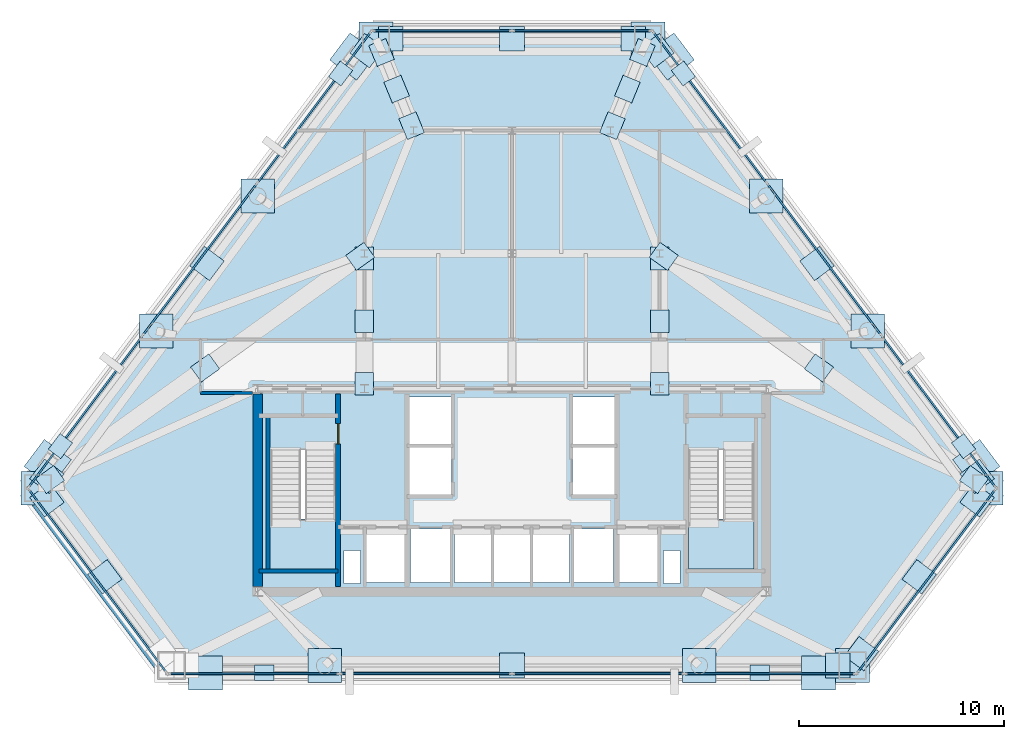
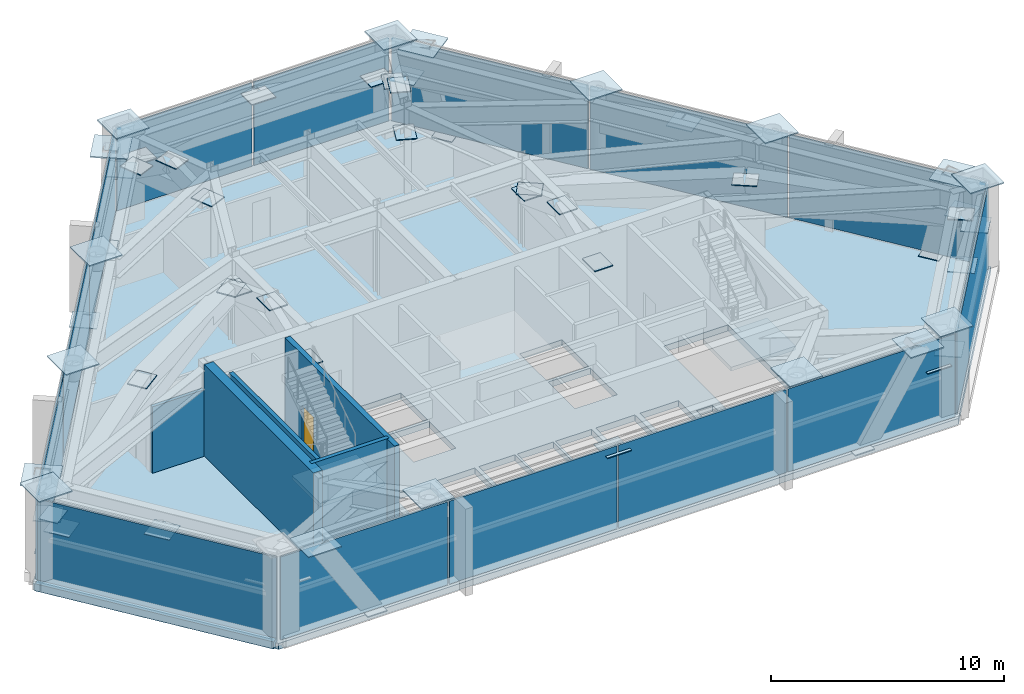
# One storey, part 5 of 9: 71 plates, 6 walls, 3 slabs, 1 door, 1 opening, 8 elements without a shape of their own.
"""IFC4 building model written with IfcOpenShell, lengths in metres."""

from ifc_helpers import new_model, si_unit, direction, frame, frame_2d, origin, origin_2d, place, context, subcontext, project, spatial, polyline, rectangle, outline, extrude, source, transform, mapped, material, layer, layer_set, type_object, type_shapes, element, fill, aggregate, save


model = new_model("IFC4")

# Units and contexts
model_context = context("Model", 3, precision=1e-05, world=origin(), true_north=direction((0.0, 1.0)))
body_context = subcontext(model_context, "Body", "Model", "MODEL_VIEW")
ifc_project = project(units=[si_unit("LENGTHUNIT", "METRE"), si_unit("AREAUNIT", "SQUARE_METRE"), si_unit("VOLUMEUNIT", "CUBIC_METRE"), si_unit("PLANEANGLEUNIT", "RADIAN"), si_unit("MASSUNIT", "GRAM", prefix="KILO")], contexts=[model_context])

# Site, building, storey
site_placement = place(None, origin())
site = spatial("IfcSite", under=ifc_project, at=site_placement, CompositionType="ELEMENT")
building_placement = place(site_placement, origin())
building = spatial("IfcBuilding", under=site, at=building_placement, Name="Talgorran Terracotta Tower", CompositionType="ELEMENT")
storey_placement = place(building_placement, frame((0.0, 0.0, 90.0)))
storey = spatial("IfcBuildingStorey", under=building, at=storey_placement, Name="L23", CompositionType="ELEMENT", Elevation=90.0)

# Plates
ifc_material_1 = material(Name="Steel Grade 350 (350L0)", Category="steel")
ifc_layer_1 = layer(ifc_material_1, 0.0400390625, Name="PL_CAP_MN05")
ifc_layer_set_1 = layer_set([ifc_layer_1], Name="Steel Grade 350 (350L0)")
plate_type_1 = type_object("IfcPlateType", Name="PL_CAP_MN05", PredefinedType="USERDEFINED", material=ifc_layer_set_1)
for number, where, z_axis, x_axis, name in (
    (1, (-12.09130859375, -18.062255859375, -0.010009765625), (0.0, 0.0, 1.0), (-1.0, 0.0, 0.0), "L23 Diagonal Frame End Cap SWF Bot"),
    (2, (12.09130859375, -18.062255859375, -0.010009765625), (0.0, 0.0, 1.0), (1.0, 0.0, 0.0), "L23 Diagonal Frame End Cap SEF Bot"),
    (3, (22.028564453125, -7.002197265625, -0.010009765625), (0.0, 0.0, 1.0), (0.600978364173, -0.79926529125, 0.0), "L23 Diagonal Frame End Cap NEL Bot"),
    (4, (8.35791015625, 11.175537109375, -0.010009765625), (0.0, 0.0, 1.0), (-0.600978364173, 0.79926529125, 0.0), "L23 Diagonal Frame End Cap NEU Bot"),
    (5, (-8.35791015625, 11.175537109375, -0.010009765625), (0.0, 0.0, 1.0), (0.600978364173, 0.79926529125, 0.0), "L23 Diagonal Frame End Cap NWU Bot"),
    (6, (-22.028564453125, -7.002197265625, -0.010009765625), (0.0, 0.0, 1.0), (-0.600978364173, -0.79926529125, 0.0), "L23 Diagonal Frame End Cap NWL Bot"),
):
    element("IfcPlate", number, at=place(storey_placement, frame(where, z_axis=z_axis, x_axis=x_axis)), inside=storey, type_object=plate_type_1, Name=name, ObjectType="CAP PLATE", PredefinedType="USERDEFINED", context=body_context, shape_type="SweptSolid", body=[
        extrude(rectangle(XDim=0.9599609375, YDim=0.760009765625, at=origin_2d()), origin(), (0.0, 0.0, 1.0), 0.0400390625),
    ])
ifc_layer_2 = layer(ifc_material_1, 0.044921875, Name="PL_GUS_MN08")
ifc_layer_set_2 = layer_set([ifc_layer_2], Name="Steel Grade 350 (350L0)")
plate_type_2 = type_object("IfcPlateType", Name="PL_GUS_MN08", PredefinedType="SHEET", material=ifc_layer_set_2)
for number, where, z_axis, x_axis, name in (
    (7, (-7.199951171875, -3.949951171875, 2.8974609375), (0.0, 0.0, 1.0), (0.0, 1.0, 0.0), "L23 Outrigger Gusset OR1-A"),
    (8, (-7.199951171875, -0.89990234375, 4.03759765625), (0.0, 0.0, 1.0), (0.0, 1.0, 0.0), "L23 Outrigger Gusset OR1-M"),
    (9, (-7.199951171875, 2.14990234375, 2.8974609375), (0.0, 0.0, 1.0), (0.0, 1.0, 0.0), "L23 Outrigger Gusset OR1-B"),
    (10, (7.199951171875, -3.949951171875, 2.8974609375), (0.0, 0.0, 1.0), (0.0, 1.0, 0.0), "L23 Outrigger Gusset OR2-A"),
    (11, (7.199951171875, -0.89990234375, 4.03759765625), (0.0, 0.0, 1.0), (0.0, 1.0, 0.0), "L23 Outrigger Gusset OR2-M"),
    (12, (7.199951171875, 2.14990234375, 2.8974609375), (0.0, 0.0, 1.0), (0.0, 1.0, 0.0), "L23 Outrigger Gusset OR2-B"),
    (13, (-7.40283203125, 2.25390625, 2.8974609375), (0.0, 0.0, 1.0), (-0.811777874123, -0.583966337286, 0.0), "L23 Outrigger Gusset OR3-A"),
    (14, (-14.968994140625, -3.188720703125, 4.03759765625), (0.0, 0.0, 1.0), (-0.811777874123, -0.583966337286, 0.0), "L23 Outrigger Gusset OR3-M"),
    (15, (-22.534912109375, -8.63134765625, 2.8974609375), (0.0, 0.0, 1.0), (-0.811777874123, -0.583966337286, 0.0), "L23 Outrigger Gusset OR3-B"),
    (16, (7.40283203125, 2.25390625, 2.8974609375), (0.0, 0.0, 1.0), (0.811777874123, -0.583966337286, 0.0), "L23 Outrigger Gusset OR4-A"),
    (17, (14.968994140625, -3.188720703125, 4.03759765625), (0.0, 0.0, 1.0), (0.811777874123, -0.583966337286, 0.0), "L23 Outrigger Gusset OR4-M"),
    (18, (22.534912109375, -8.63134765625, 2.8974609375), (0.0, 0.0, 1.0), (0.811777874123, -0.583966337286, 0.0), "L23 Outrigger Gusset OR4-B"),
    (19, (-4.89501953125, 8.631103515625, 2.8974609375), (0.0, 0.0, 1.0), (-0.380424828643, 0.924811845594, 0.0), "L23 Outrigger Gusset OR5-A"),
    (20, (-5.629150390625, 10.415283203125, 4.03759765625), (0.0, 0.0, 1.0), (-0.380424828643, 0.924811845594, 0.0), "L23 Outrigger Gusset OR5-M"),
    (21, (-6.363037109375, 12.19921875, 2.8974609375), (0.0, 0.0, 1.0), (-0.380424828643, 0.924811845594, 0.0), "L23 Outrigger Gusset OR5-B"),
    (22, (4.89501953125, 8.631103515625, 2.8974609375), (0.0, 0.0, 1.0), (0.380424828643, 0.924811845594, 0.0), "L23 Outrigger Gusset OR6-A"),
    (23, (5.629150390625, 10.415283203125, 4.03759765625), (0.0, 0.0, 1.0), (0.380424828643, 0.924811845594, 0.0), "L23 Outrigger Gusset OR6-M"),
    (24, (6.363037109375, 12.19921875, 2.8974609375), (0.0, 0.0, 1.0), (0.380424828643, 0.924811845594, 0.0), "L23 Outrigger Gusset OR6-B"),
):
    element("IfcPlate", number, at=place(storey_placement, frame(where, z_axis=z_axis, x_axis=x_axis)), inside=storey, type_object=plate_type_2, Name=name, PredefinedType="SHEET", context=body_context, shape_type="SweptSolid", body=[
        extrude(rectangle(XDim=1.10009765625, YDim=0.89990234375, at=origin_2d()), origin(), (0.0, 0.0, 1.0), 0.044921875),
    ])
ifc_layer_3 = layer(ifc_material_1, 0.06005859375, Name="PL_NODE_MN01")
ifc_layer_set_3 = layer_set([ifc_layer_3], Name="Steel Grade 350 (350L0)")
plate_type_3 = type_object("IfcPlateType", Name="PL_NODE_MN01", PredefinedType="USERDEFINED", material=ifc_layer_set_3)
for number, where, z_axis, x_axis, name in (
    (25, (-23.119384765625, -9.0517578125, 4.784912109375), (0.0, 0.0, 1.0), (1.0, 0.0, 0.0), "L23 Mega-Column Cap Plate MC1"),
    (26, (16.61376953125, -17.7021484375, 4.784912109375), (0.0, 0.0, 1.0), (1.0, 0.0, 0.0), "L23 Mega-Column Cap Plate MC3"),
    (27, (23.119384765625, -9.0517578125, 4.784912109375), (0.0, 0.0, 1.0), (1.0, 0.0, 0.0), "L23 Mega-Column Cap Plate MC4"),
    (28, (6.636962890625, 12.864990234375, 4.784912109375), (0.0, 0.0, 1.0), (1.0, 0.0, 0.0), "L23 Mega-Column Cap Plate MC5"),
    (29, (-6.636962890625, 12.864990234375, 4.784912109375), (0.0, 0.0, 1.0), (1.0, 0.0, 0.0), "L23 Mega-Column Cap Plate MC6"),
    (30, (-9.1376953125, -17.7021484375, 4.784912109375), (0.0, 0.0, 1.0), (1.0, 0.0, 0.0), "L23 Facet Column Cap Plate FC1"),
    (31, (9.1376953125, -17.7021484375, 4.784912109375), (0.0, 0.0, 1.0), (1.0, 0.0, 0.0), "L23 Facet Column Cap Plate FC2"),
    (32, (17.3505859375, -1.380859375, 4.784912109375), (0.0, 0.0, 1.0), (1.0, 0.0, 0.0), "L23 Facet Column Cap Plate FC3"),
    (33, (12.406005859375, 5.194091796875, 4.784912109375), (0.0, 0.0, 1.0), (1.0, 0.0, 0.0), "L23 Facet Column Cap Plate FC4"),
    (34, (-12.406005859375, 5.194091796875, 4.784912109375), (0.0, 0.0, 1.0), (1.0, 0.0, 0.0), "L23 Facet Column Cap Plate FC5"),
    (35, (-17.3505859375, -1.380859375, 4.784912109375), (0.0, 0.0, 1.0), (1.0, 0.0, 0.0), "L23 Facet Column Cap Plate FC6"),
    (36, (-14.9462890625, -18.062255859375, 4.47998046875), (0.0, 0.0, 1.0), (-1.0, 0.0, 0.0), "L23 Diagonal Frame End Cap SWF Top"),
    (37, (14.9462890625, -18.062255859375, 4.47998046875), (0.0, 0.0, 1.0), (1.0, 0.0, 0.0), "L23 Diagonal Frame End Cap SEF Top"),
    (38, (22.6484375, -7.826416015625, 4.47998046875), (0.0, 0.0, 1.0), (0.600978364173, -0.79926529125, 0.0), "L23 Diagonal Frame End Cap NEL Top"),
    (39, (7.738037109375, 12.0, 4.47998046875), (0.0, 0.0, 1.0), (-0.600978364173, 0.79926529125, 0.0), "L23 Diagonal Frame End Cap NEU Top"),
    (40, (-7.738037109375, 12.0, 4.47998046875), (0.0, 0.0, 1.0), (0.600978364173, 0.79926529125, 0.0), "L23 Diagonal Frame End Cap NWU Top"),
    (41, (-22.6484375, -7.826416015625, 4.47998046875), (0.0, 0.0, 1.0), (-0.600978364173, -0.79926529125, 0.0), "L23 Diagonal Frame End Cap NWL Top"),
):
    element("IfcPlate", number, at=place(storey_placement, frame(where, z_axis=z_axis, x_axis=x_axis)), inside=storey, type_object=plate_type_3, Name=name, ObjectType="NODE PLATE", PredefinedType="USERDEFINED", context=body_context, shape_type="SweptSolid", body=[
        extrude(rectangle(XDim=1.64990234375, YDim=1.64990234375, at=origin_2d()), origin(), (0.0, 0.0, 1.0), 0.06005859375),
    ])
ifc_layer_4 = layer(ifc_material_1, 0.044921875, Name="PL_NODE_MN04")
ifc_layer_set_4 = layer_set([ifc_layer_4], Name="Steel Grade 350 (350L0)")
plate_type_4 = type_object("IfcPlateType", Name="PL_NODE_MN04", PredefinedType="USERDEFINED", material=ifc_layer_set_4)
for number, where, z_axis, x_axis, name in (
    (42, (-22.686767578125, -9.627197265625, 2.8974609375), (0.0, 0.0, 1.0), (0.600978364173, -0.79926529125, 0.0), "L23 Belt Node Plate BT1-A"),
    (43, (-19.86669921875, -13.376953125, 4.03759765625), (0.0, 0.0, 1.0), (0.600978364173, -0.79926529125, 0.0), "L23 Belt Node Plate BT1-M"),
    (44, (0.0, -17.7021484375, 4.03759765625), (0.0, 0.0, 1.0), (1.0, 0.0, 0.0), "L23 Belt Node Plate BT2-M"),
    (45, (15.893798828125, -17.7021484375, 2.8974609375), (0.0, 0.0, 1.0), (1.0, 0.0, 0.0), "L23 Belt Node Plate BT2-B"),
    (46, (17.046630859375, -17.126708984375, 2.8974609375), (0.0, 0.0, 1.0), (0.600978364173, 0.79926529125, 0.0), "L23 Belt Node Plate BT3-A"),
    (47, (19.86669921875, -13.376953125, 4.03759765625), (0.0, 0.0, 1.0), (0.600978364173, 0.79926529125, 0.0), "L23 Belt Node Plate BT3-M"),
    (48, (22.686767578125, -9.627197265625, 2.8974609375), (0.0, 0.0, 1.0), (0.600978364173, 0.79926529125, 0.0), "L23 Belt Node Plate BT3-B"),
    (49, (22.686767578125, -8.476318359375, 2.8974609375), (0.0, 0.0, 1.0), (-0.600978364173, 0.79926529125, 0.0), "L23 Belt Node Plate BT4-A"),
    (50, (14.878173828125, 1.90673828125, 4.03759765625), (0.0, 0.0, 1.0), (-0.600978364173, 0.79926529125, 0.0), "L23 Belt Node Plate BT4-M"),
    (51, (7.06982421875, 12.289794921875, 2.8974609375), (0.0, 0.0, 1.0), (-0.600978364173, 0.79926529125, 0.0), "L23 Belt Node Plate BT4-B"),
    (52, (5.9169921875, 12.864990234375, 2.8974609375), (0.0, 0.0, 1.0), (-1.0, 0.0, 0.0), "L23 Belt Node Plate BT5-A"),
    (53, (0.0, 12.864990234375, 4.03759765625), (0.0, 0.0, 1.0), (-1.0, 0.0, 0.0), "L23 Belt Node Plate BT5-M"),
    (54, (-5.9169921875, 12.864990234375, 2.8974609375), (0.0, 0.0, 1.0), (-1.0, 0.0, 0.0), "L23 Belt Node Plate BT5-B"),
    (55, (-7.06982421875, 12.289794921875, 2.8974609375), (0.0, 0.0, 1.0), (-0.600978364173, -0.79926529125, 0.0), "L23 Belt Node Plate BT6-A"),
    (56, (-14.878173828125, 1.90673828125, 4.03759765625), (0.0, 0.0, 1.0), (-0.600978364173, -0.79926529125, 0.0), "L23 Belt Node Plate BT6-M"),
    (57, (-22.686767578125, -8.476318359375, 2.8974609375), (0.0, 0.0, 1.0), (-0.600978364173, -0.79926529125, 0.0), "L23 Belt Node Plate BT6-B"),
):
    element("IfcPlate", number, at=place(storey_placement, frame(where, z_axis=z_axis, x_axis=x_axis)), inside=storey, type_object=plate_type_4, Name=name, ObjectType="NODE PLATE", PredefinedType="USERDEFINED", context=body_context, shape_type="SweptSolid", body=[
        extrude(rectangle(XDim=1.199951171875, YDim=1.199951171875, at=origin_2d()), origin(), (0.0, 0.0, 1.0), 0.044921875),
    ])

# Stair, slab
ifc_material_2 = material(Name="Concrete C40/50", Category="concrete")
stair_type = type_object("IfcStairType", Name="ST_FIRE_SCISSOR", PredefinedType="HALF_TURN_STAIR", material=ifc_material_2)
stair_1_placement = place(storey_placement, origin())
stair_1 = element("IfcStair", 58, at=stair_1_placement, inside=storey, type_object=stair_type, Name="L23 West Protected Fire Stair ST-01", PredefinedType="HALF_TURN_STAIR")
ifc_layer_5 = layer(ifc_material_2, 0.199951171875, Name="SL_LANDING_200")
ifc_layer_set_5 = layer_set([ifc_layer_5], Name="Concrete C40/50")
slab_type_1 = type_object("IfcSlabType", Name="SL_LANDING_200", PredefinedType="LANDING", material=ifc_layer_set_5)
slab_1_placement = place(storey_placement, frame((0.0, 0.0, 2.199951171875)))
slab_1 = element("IfcSlab", 59, at=slab_1_placement, type_object=slab_type_1, Name="ST-01 landing 1", PredefinedType="LANDING", context=body_context, shape_type="SweptSolid", body=[
    extrude(outline(polyline([(-11.800048828125, -10.56005859375), (-11.800048828125, -13.0), (-8.60009765625, -13.0), (-8.60009765625, -10.56005859375), (-11.800048828125, -10.56005859375)])), origin(), (0.0, 0.0, 1.0), 0.199951171875),
])
aggregate(stair_1, [slab_1])

stair_2_placement = place(storey_placement, origin())
stair_2 = element("IfcStair", 60, at=stair_2_placement, inside=storey, type_object=stair_type, Name="L23 East Protected Fire Stair ST-02", PredefinedType="HALF_TURN_STAIR")
slab_2_placement = place(storey_placement, frame((0.0, 0.0, 2.199951171875)))
slab_2 = element("IfcSlab", 61, at=slab_2_placement, type_object=slab_type_1, Name="ST-02 landing 1", PredefinedType="LANDING", context=body_context, shape_type="SweptSolid", body=[
    extrude(outline(polyline([(8.60009765625, -10.56005859375), (8.60009765625, -13.0), (11.800048828125, -13.0), (11.800048828125, -10.56005859375), (8.60009765625, -10.56005859375)])), origin(), (0.0, 0.0, 1.0), 0.199951171875),
])
aggregate(stair_2, [slab_2])

# Slab
ifc_material_3 = material(Name="Concrete C50/60", Category="concrete")
ifc_layer_6 = layer(ifc_material_3, 0.320068359375, Name="SL_PLANT_320")
ifc_layer_set_6 = layer_set([ifc_layer_6], Name="Concrete C50/60")
slab_type_2 = type_object("IfcSlabType", Name="SL_PLANT_320", PredefinedType="FLOOR", material=ifc_layer_set_6)
slab_3_placement = place(storey_placement, frame((0.0, 0.0, -0.320068359375)))
element("IfcSlab", 62, at=slab_3_placement, inside=storey, type_object=slab_type_2, Name="Storey L23 Structural Floor Slab", PredefinedType="FLOOR", context=body_context, shape_type="SweptSolid", body=[
    extrude(outline(polyline([(-23.77001953125, -9.0517578125), (-16.873291015625, -18.22216796875), (16.873291015625, -18.22216796875), (23.77001953125, -9.0517578125), (6.896484375, 13.385009765625), (-6.896484375, 13.385009765625), (-23.77001953125, -9.0517578125)]), holes=[polyline([(-11.800048828125, -7.199951171875), (-11.800048828125, -13.0), (-8.60009765625, -13.0), (-8.60009765625, -7.199951171875), (-11.800048828125, -7.199951171875)]), polyline([(8.60009765625, -7.199951171875), (8.60009765625, -13.0), (11.800048828125, -13.0), (11.800048828125, -7.199951171875), (8.60009765625, -7.199951171875)]), polyline([(-7.10009765625, -13.64990234375), (-5.199951171875, -13.64990234375), (-5.199951171875, -11.050048828125), (-7.10009765625, -11.050048828125), (-7.10009765625, -13.64990234375)]), polyline([(5.199951171875, -13.64990234375), (7.10009765625, -13.64990234375), (7.10009765625, -11.050048828125), (5.199951171875, -11.050048828125), (5.199951171875, -13.64990234375)]), polyline([(3.0, -13.64990234375), (4.949951171875, -13.64990234375), (4.949951171875, -11.050048828125), (3.0, -11.050048828125), (3.0, -13.64990234375)]), polyline([(-4.949951171875, -13.64990234375), (-3.0, -13.64990234375), (-3.0, -11.050048828125), (-4.949951171875, -11.050048828125), (-4.949951171875, -13.64990234375)]), polyline([(-5.050048828125, -9.35009765625), (-2.949951171875, -9.35009765625), (-2.949951171875, -7.050048828125), (-5.050048828125, -7.050048828125), (-5.050048828125, -9.35009765625)]), polyline([(-5.050048828125, -6.89990234375), (-2.949951171875, -6.89990234375), (-2.949951171875, -4.60009765625), (-5.050048828125, -4.60009765625), (-5.050048828125, -6.89990234375)]), polyline([(2.949951171875, -9.35009765625), (5.050048828125, -9.35009765625), (5.050048828125, -7.050048828125), (2.949951171875, -7.050048828125), (2.949951171875, -9.35009765625)]), polyline([(2.949951171875, -6.89990234375), (5.050048828125, -6.89990234375), (5.050048828125, -4.60009765625), (2.949951171875, -4.60009765625), (2.949951171875, -6.89990234375)]), polyline([(-2.800048828125, -13.64990234375), (-1.0, -13.64990234375), (-1.0, -11.050048828125), (-2.800048828125, -11.050048828125), (-2.800048828125, -13.64990234375)]), polyline([(-0.89990234375, -13.64990234375), (0.89990234375, -13.64990234375), (0.89990234375, -11.050048828125), (-0.89990234375, -11.050048828125), (-0.89990234375, -13.64990234375)]), polyline([(1.0, -13.64990234375), (2.800048828125, -13.64990234375), (2.800048828125, -11.050048828125), (1.0, -11.050048828125), (1.0, -13.64990234375)]), polyline([(-8.199951171875, -13.699951171875), (-7.39990234375, -13.699951171875), (-7.39990234375, -12.10009765625), (-8.199951171875, -12.10009765625), (-8.199951171875, -13.699951171875)]), polyline([(7.39990234375, -13.699951171875), (8.199951171875, -13.699951171875), (8.199951171875, -12.10009765625), (7.39990234375, -12.10009765625), (7.39990234375, -13.699951171875)])]), origin(), (0.0, 0.0, 1.0), 0.320068359375),
])

# Curtain wall, plate
ifc_material_4 = material(Name="Anodised Aluminium Louvre", Category="aluminium")
ifc_layer_7 = layer(ifc_material_4, 0.25, Name="CW_SYS4_LOUVRE")
ifc_layer_set_7 = layer_set([ifc_layer_7], Name="Anodised Aluminium Louvre")
curtain_wall_type = type_object("IfcCurtainWallType", Name="CW_SYS4_LOUVRE", PredefinedType="NOTDEFINED", material=ifc_layer_set_7)
curtain_wall_1_placement = place(storey_placement, origin())
curtain_wall_1 = element("IfcCurtainWall", 63, at=curtain_wall_1_placement, inside=storey, type_object=curtain_wall_type, Name="CW-L23-F0", PredefinedType="NOTDEFINED")
ifc_material_5 = material(Name="Anodised Aluminium Louvre Panel", Category="aluminium")
ifc_layer_8 = layer(ifc_material_5, 0.0849609375, Name="PLT_LOUVRE_BLADE")
ifc_layer_set_8 = layer_set([ifc_layer_8], Name="Anodised Aluminium Louvre Panel")
plate_type_5 = type_object("IfcPlateType", Name="PLT_LOUVRE_BLADE", PredefinedType="CURTAIN_PANEL", material=ifc_layer_set_8)
shared_shape_1 = source(origin(), body_context, "Body", "SweptSolid", [
    extrude(rectangle(XDim=11.154296875, YDim=0.0849609375, at=origin_2d()), origin(), (0.0, 0.0, 1.0), 4.35009765625),
])
plate_1_placement = place(storey_placement, frame((-20.216796875, -13.576904296875, 0.0849609375), z_axis=(0.0, 0.0, 1.0), x_axis=(0.601052083423, -0.799209855428, 0.0)))
plate_1 = element("IfcPlate", 64, at=plate_1_placement, type_object=plate_type_5, Name="CW-L23-0 panel 1.1", PredefinedType="CURTAIN_PANEL", context=body_context, shape_type="MappedRepresentation", body=[
    mapped(shared_shape_1, transform((0.0, 0.0, 0.0), scale=1.0)),
])
aggregate(curtain_wall_1, [plate_1])

curtain_wall_2_placement = place(storey_placement, origin())
curtain_wall_2 = element("IfcCurtainWall", 65, at=curtain_wall_2_placement, inside=storey, type_object=curtain_wall_type, Name="CW-L23-F2", PredefinedType="NOTDEFINED")
plate_2_placement = place(storey_placement, frame((20.216796875, -13.576904296875, 0.0849609375), z_axis=(0.0, 0.0, 1.0), x_axis=(0.601052083423, 0.799209855428, 0.0)))
plate_2 = element("IfcPlate", 66, at=plate_2_placement, type_object=plate_type_5, Name="CW-L23-2 panel 1.1", PredefinedType="CURTAIN_PANEL", context=body_context, shape_type="MappedRepresentation", body=[
    mapped(shared_shape_1, transform((0.0, 0.0, 0.0), scale=1.0)),
])
aggregate(curtain_wall_2, [plate_2])

# Curtain wall, plates
curtain_wall_3_placement = place(storey_placement, origin())
curtain_wall_3 = element("IfcCurtainWall", 67, at=curtain_wall_3_placement, inside=storey, type_object=curtain_wall_type, Name="CW-L23-F1", PredefinedType="NOTDEFINED")
shared_shape_2 = source(origin(), body_context, "Body", "SweptSolid", [
    extrude(rectangle(XDim=8.279296875, YDim=0.0849609375, at=origin_2d()), origin(), (0.0, 0.0, 1.0), 4.35009765625),
])
plate_3_placement = place(storey_placement, frame((-12.5888671875, -18.102294921875, 0.0849609375), z_axis=(0.0, 0.0, 1.0), x_axis=(1.0, 0.0, 0.0)))
plate_3 = element("IfcPlate", 68, at=plate_3_placement, type_object=plate_type_5, Name="CW-L23-1 panel 1.1", PredefinedType="CURTAIN_PANEL", context=body_context, shape_type="MappedRepresentation", body=[
    mapped(shared_shape_2, transform((0.0, 0.0, 0.0), scale=1.0)),
])
plate_4_placement = place(storey_placement, frame((12.5888671875, -18.102294921875, 0.0849609375), z_axis=(0.0, 0.0, 1.0), x_axis=(1.0, 0.0, 0.0)))
plate_4 = element("IfcPlate", 69, at=plate_4_placement, type_object=plate_type_5, Name="CW-L23-1 panel 4.1", PredefinedType="CURTAIN_PANEL", context=body_context, shape_type="MappedRepresentation", body=[
    mapped(shared_shape_2, transform((0.0, 0.0, 0.0), scale=1.0)),
])
shared_shape_3 = source(origin(), body_context, "Body", "SweptSolid", [
    extrude(rectangle(XDim=8.32177734375, YDim=0.0849609375, at=origin_2d()), origin(), (0.0, 0.0, 1.0), 4.35009765625),
])
plate_5_placement = place(storey_placement, frame((-4.203369140625, -18.102294921875, 0.0849609375), z_axis=(0.0, 0.0, 1.0), x_axis=(1.0, 0.0, 0.0)))
plate_5 = element("IfcPlate", 70, at=plate_5_placement, type_object=plate_type_5, Name="CW-L23-1 panel 2.1", PredefinedType="CURTAIN_PANEL", context=body_context, shape_type="MappedRepresentation", body=[
    mapped(shared_shape_3, transform((0.0, 0.0, 0.0), scale=1.0)),
])
plate_6_placement = place(storey_placement, frame((4.203369140625, -18.102294921875, 0.0849609375), z_axis=(0.0, 0.0, 1.0), x_axis=(1.0, 0.0, 0.0)))
plate_6 = element("IfcPlate", 71, at=plate_6_placement, type_object=plate_type_5, Name="CW-L23-1 panel 3.1", PredefinedType="CURTAIN_PANEL", context=body_context, shape_type="MappedRepresentation", body=[
    mapped(shared_shape_3, transform((0.0, 0.0, 0.0), scale=1.0)),
])
aggregate(curtain_wall_3, [plate_3, plate_5, plate_6, plate_4])

curtain_wall_4_placement = place(storey_placement, origin())
curtain_wall_4 = element("IfcCurtainWall", 72, at=curtain_wall_4_placement, inside=storey, type_object=curtain_wall_type, Name="CW-L23-F3", PredefinedType="NOTDEFINED")
shared_shape_4 = source(origin(), body_context, "Body", "SweptSolid", [
    extrude(rectangle(XDim=9.180419921875, YDim=0.0849609375, at=origin_2d()), origin(), (0.0, 0.0, 1.0), 4.35009765625),
])
plate_7_placement = place(storey_placement, frame((20.81005859375, -5.315185546875, 0.0849609375), z_axis=(0.0, 0.0, 1.0), x_axis=(-0.601046921, 0.799213737843, 0.0)))
plate_7 = element("IfcPlate", 73, at=plate_7_placement, type_object=plate_type_5, Name="CW-L23-3 panel 1.1", PredefinedType="CURTAIN_PANEL", context=body_context, shape_type="MappedRepresentation", body=[
    mapped(shared_shape_4, transform((0.0, 0.0, 0.0), scale=1.0)),
])
plate_8_placement = place(storey_placement, frame((9.646728515625, 9.528564453125, 0.0849609375), z_axis=(0.0, 0.0, 1.0), x_axis=(-0.601046921, 0.799213737843, 0.0)))
plate_8 = element("IfcPlate", 74, at=plate_8_placement, type_object=plate_type_5, Name="CW-L23-3 panel 3.1", PredefinedType="CURTAIN_PANEL", context=body_context, shape_type="MappedRepresentation", body=[
    mapped(shared_shape_4, transform((0.0, 0.0, 0.0), scale=1.0)),
])

curtain_wall_5_placement = place(storey_placement, origin())
curtain_wall_5 = element("IfcCurtainWall", 75, at=curtain_wall_5_placement, inside=storey, type_object=curtain_wall_type, Name="CW-L23-F5", PredefinedType="NOTDEFINED")
plate_9_placement = place(storey_placement, frame((-9.646728515625, 9.528564453125, 0.0849609375), z_axis=(0.0, 0.0, 1.0), x_axis=(-0.601046921, -0.799213737843, 0.0)))
plate_9 = element("IfcPlate", 76, at=plate_9_placement, type_object=plate_type_5, Name="CW-L23-5 panel 1.1", PredefinedType="CURTAIN_PANEL", context=body_context, shape_type="MappedRepresentation", body=[
    mapped(shared_shape_4, transform((0.0, 0.0, 0.0), scale=1.0)),
])
plate_10_placement = place(storey_placement, frame((-20.81005859375, -5.315185546875, 0.0849609375), z_axis=(0.0, 0.0, 1.0), x_axis=(-0.601046921, -0.799213737843, 0.0)))
plate_10 = element("IfcPlate", 77, at=plate_10_placement, type_object=plate_type_5, Name="CW-L23-5 panel 3.1", PredefinedType="CURTAIN_PANEL", context=body_context, shape_type="MappedRepresentation", body=[
    mapped(shared_shape_4, transform((0.0, 0.0, 0.0), scale=1.0)),
])

# Plate
shared_shape_5 = source(origin(), body_context, "Body", "SweptSolid", [
    extrude(rectangle(XDim=9.222900390625, YDim=0.0849609375, at=origin_2d()), origin(), (0.0, 0.0, 1.0), 4.35009765625),
])
plate_11_placement = place(storey_placement, frame((15.228271484375, 2.106689453125, 0.0849609375), z_axis=(0.0, 0.0, 1.0), x_axis=(-0.601046921, 0.799213737843, 0.0)))
plate_11 = element("IfcPlate", 78, at=plate_11_placement, type_object=plate_type_5, Name="CW-L23-3 panel 2.1", PredefinedType="CURTAIN_PANEL", context=body_context, shape_type="MappedRepresentation", body=[
    mapped(shared_shape_5, transform((0.0, 0.0, 0.0), scale=1.0)),
])

aggregate(curtain_wall_4, [plate_7, plate_11, plate_8])

plate_12_placement = place(storey_placement, frame((-15.228271484375, 2.106689453125, 0.0849609375), z_axis=(0.0, 0.0, 1.0), x_axis=(-0.601046921, -0.799213737843, 0.0)))
plate_12 = element("IfcPlate", 79, at=plate_12_placement, type_object=plate_type_5, Name="CW-L23-5 panel 2.1", PredefinedType="CURTAIN_PANEL", context=body_context, shape_type="MappedRepresentation", body=[
    mapped(shared_shape_5, transform((0.0, 0.0, 0.0), scale=1.0)),
])

aggregate(curtain_wall_5, [plate_9, plate_12, plate_10])

# Curtain wall, plates
curtain_wall_6_placement = place(storey_placement, origin())
curtain_wall_6 = element("IfcCurtainWall", 80, at=curtain_wall_6_placement, inside=storey, type_object=curtain_wall_type, Name="CW-L23-F4", PredefinedType="NOTDEFINED")
shared_shape_6 = source(origin(), body_context, "Body", "SweptSolid", [
    extrude(rectangle(XDim=6.709228515625, YDim=0.0849609375, at=origin_2d()), origin(), (0.0, 0.0, 1.0), 4.35009765625),
])
type_shapes(plate_type_5, [shared_shape_1, shared_shape_2, shared_shape_3, shared_shape_4, shared_shape_5, shared_shape_6])
plate_13_placement = place(storey_placement, frame((3.397216796875, 13.26513671875, 0.0849609375), z_axis=(0.0, 0.0, 1.0), x_axis=(-1.0, 0.0, 0.0)))
plate_13 = element("IfcPlate", 81, at=plate_13_placement, type_object=plate_type_5, Name="CW-L23-4 panel 1.1", PredefinedType="CURTAIN_PANEL", context=body_context, shape_type="MappedRepresentation", body=[
    mapped(shared_shape_6, transform((0.0, 0.0, 0.0), scale=1.0)),
])
plate_14_placement = place(storey_placement, frame((-3.397216796875, 13.26513671875, 0.0849609375), z_axis=(0.0, 0.0, 1.0), x_axis=(-1.0, 0.0, 0.0)))
plate_14 = element("IfcPlate", 82, at=plate_14_placement, type_object=plate_type_5, Name="CW-L23-4 panel 2.1", PredefinedType="CURTAIN_PANEL", context=body_context, shape_type="MappedRepresentation", body=[
    mapped(shared_shape_6, transform((0.0, 0.0, 0.0), scale=1.0)),
])
aggregate(curtain_wall_6, [plate_13, plate_14])

# Walls
ifc_layer_9 = layer(ifc_material_3, 0.199951171875, Name="WT_CORE_200")
ifc_layer_set_9 = layer_set([ifc_layer_9], Name="Concrete C50/60")
wall_type_1 = type_object("IfcWallType", Name="WT_CORE_200", PredefinedType="SOLIDWALL", material=ifc_layer_set_9)
wall_1_placement = place(storey_placement, frame((-12.35009765625, -13.10009765625, 0.0), z_axis=(0.0, 0.0, 1.0), x_axis=(1.0, 0.0, 0.0)))
element("IfcWall", 83, at=wall_1_placement, inside=storey, type_object=wall_type_1, Name="WL-L23-CW-ST1-S", PredefinedType="SOLIDWALL", context=body_context, shape_type="SweptSolid", body=[
    extrude(rectangle(XDim=3.8701171875, YDim=0.199951171875, at=frame_2d((1.93505859375, 0.0))), origin(), (0.0, 0.0, 1.0), 4.800048828125),
])
wall_2_placement = place(storey_placement, frame((-11.89990234375, -13.10009765625, 0.0), z_axis=(0.0, 0.0, 1.0), x_axis=(0.0, 1.0, 0.0)))
element("IfcWall", 84, at=wall_2_placement, inside=storey, type_object=wall_type_1, Name="WL-L23-CW-ST1-W", PredefinedType="SOLIDWALL", context=body_context, shape_type="SweptSolid", body=[
    extrude(rectangle(XDim=7.580078125, YDim=0.199951171875, at=frame_2d((3.7900390625, 0.0))), origin(), (0.0, 0.0, 1.0), 4.800048828125),
])

# Wall, opening, door
ifc_layer_10 = layer(ifc_material_3, 0.25, Name="WT_CORE_250")
ifc_layer_set_10 = layer_set([ifc_layer_10], Name="Concrete C50/60")
wall_type_2 = type_object("IfcWallType", Name="WT_CORE_250", PredefinedType="SHEAR", material=ifc_layer_set_10)
wall_3_placement = place(storey_placement, frame((-8.47998046875, -13.85009765625, 0.0), z_axis=(0.0, 0.0, 1.0), x_axis=(0.0, 1.0, 0.0)))
wall_3 = element("IfcWall", 85, at=wall_3_placement, inside=storey, type_object=wall_type_2, Name="WL-L23-CW-V-W1", PredefinedType="SHEAR", context=body_context, shape_type="SweptSolid", body=[
    extrude(rectangle(XDim=9.400146484375, YDim=0.25, at=frame_2d((4.7001953125, 0.0))), origin(), (0.0, 0.0, 1.0), 4.800048828125),
])
opening_placement = place(wall_3_placement, frame((6.949951171875, 0.0, 0.0)))
opening = element("IfcOpeningElement", 86, at=opening_placement, cuts=wall_3, Name="Opening DR-ST01", PredefinedType="OPENING", context=body_context, shape_type="SweptSolid", body=[
    extrude(rectangle(XDim=1.006, YDim=2.10409765625, at=frame_2d((0.5, 1.052001953125))), frame((0.0, 0.135009765625, 0.0), z_axis=(0.0, -1.0, 0.0), x_axis=(1.0, 0.0, 0.0)), (0.0, 0.0, 1.0), 0.27001953125),
])
ifc_material_6 = material(Name="Fire-Rated Pressed Steel", Category="steel")
door_type = type_object("IfcDoorType", Name="DT_FIRE_1000", OperationType="NOTDEFINED", PredefinedType="DOOR", material=ifc_material_6)
door_placement = place(opening_placement, origin())
door = element("IfcDoor", 87, at=door_placement, inside=storey, type_object=door_type, Name="DR-ST01", OperationType="SINGLE_SWING_LEFT", OverallHeight=2.10009765625, OverallWidth=1.0, PredefinedType="DOOR", context=body_context, shape_type="SweptSolid", body=[
    extrude(rectangle(XDim=1.0, YDim=2.10009765625, at=frame_2d((0.5, 1.050048828125))), frame((0.0, 0.02490234375, 0.0), z_axis=(0.0, -1.0, 0.0), x_axis=(1.0, 0.0, 0.0)), (0.0, 0.0, 1.0), 0.050048828125),
])
fill(opening, door)

# Walls
ifc_material_7 = material(Name="Concrete C65/80", Category="concrete")
ifc_layer_11 = layer(ifc_material_7, 0.449951171875, Name="WT_CORE_EXT")
ifc_layer_set_11 = layer_set([ifc_layer_11], Name="Concrete C65/80")
wall_type_3 = type_object("IfcWallType", Name="WT_CORE_EXT", PredefinedType="SHEAR", material=ifc_layer_set_11)
wall_4_placement = place(storey_placement, frame((-12.39990234375, -13.85009765625, 0.0), z_axis=(0.0, 0.0, 1.0), x_axis=(0.0, 1.0, 0.0)))
element("IfcWall", 88, at=wall_4_placement, inside=storey, type_object=wall_type_3, Name="WL-L23-CW-OUT-W", PredefinedType="SHEAR", context=body_context, shape_type="SweptSolid", body=[
    extrude(rectangle(XDim=9.400146484375, YDim=0.449951171875, at=frame_2d((4.7001953125, 0.0))), origin(), (0.0, 0.0, 1.0), 4.800048828125),
])
ifc_material_8 = material(Name="Fire-Rated Steel Stud Plasterboard", Category="steel")
ifc_layer_12 = layer(ifc_material_8, 0.14990234375, Name="WT_FIRE_150")
ifc_layer_set_12 = layer_set([ifc_layer_12], Name="Fire-Rated Steel Stud Plasterboard")
wall_type_4 = type_object("IfcWallType", Name="WT_FIRE_150", PredefinedType="PARTITIONING", material=ifc_layer_set_12)
wall_5_placement = place(storey_placement, frame((-15.199951171875, -4.39990234375, 0.0), z_axis=(0.0, 0.0, 1.0), x_axis=(1.0, 0.0, 0.0)))
element("IfcWall", 89, at=wall_5_placement, inside=storey, type_object=wall_type_4, Name="WL-L23-W-L23-R02", PredefinedType="PARTITIONING", context=body_context, shape_type="SweptSolid", body=[
    extrude(rectangle(XDim=2.5478515625, YDim=0.14990234375, at=frame_2d((1.27392578125, 0.0))), origin(), (0.0, 0.0, 1.0), 3.4951171875),
])
ifc_layer_13 = layer(ifc_material_2, 0.219970703125, Name="WT_PARAPET_RC")
ifc_layer_set_13 = layer_set([ifc_layer_13], Name="Concrete C40/50")
wall_type_5 = type_object("IfcWallType", Name="WT_PARAPET_RC", PredefinedType="PARAPET", material=ifc_layer_set_13)
wall_6_placement = place(storey_placement, frame((-23.69970703125, -9.2119140625, -0.199951171875), z_axis=(0.0, 0.0, 1.0), x_axis=(0.601045658487, -0.799214687311, 0.0)))
element("IfcWall", 90, at=wall_6_placement, inside=storey, type_object=wall_type_5, Name="L23 Striped Portal Precast Cornice F0", PredefinedType="PARAPET", context=body_context, shape_type="SweptSolid", body=[
    extrude(rectangle(XDim=11.164306640625, YDim=0.360107421875, at=frame_2d((5.58203125, 0.0))), origin(), (0.0, 0.0, 1.0), 0.3798828125),
])

save(model, "model.ifc")
